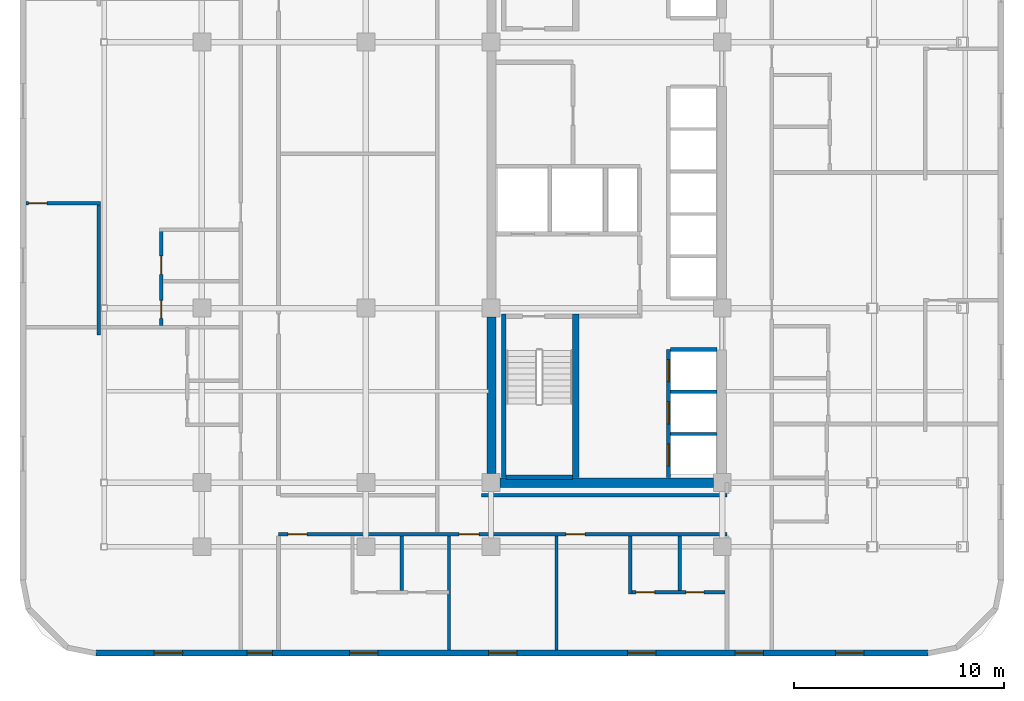
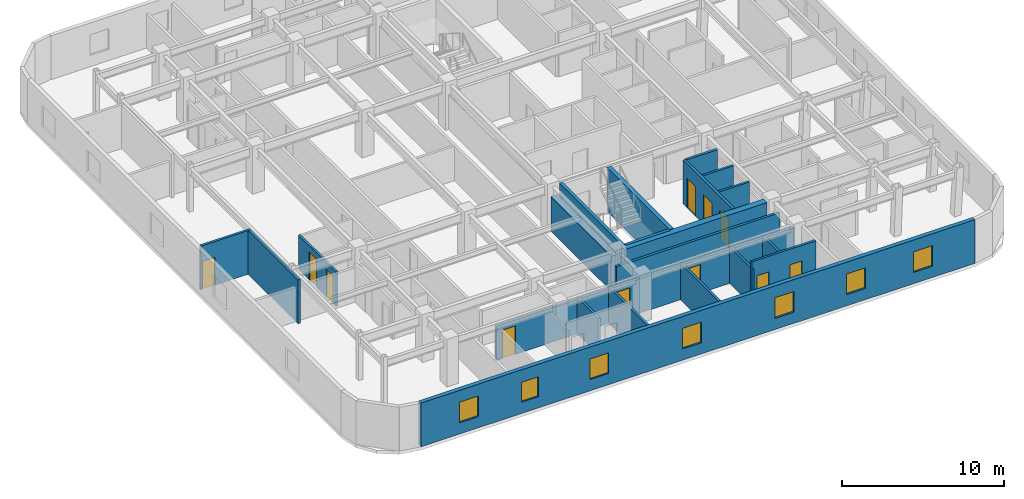
# One storey, part 6 of 11: 21 walls, 11 doors, 7 windows, 18 openings.
"""IFC4 building model written with IfcOpenShell, lengths in metres."""

from ifc_helpers import new_model, si_unit, direction, frame, frame_2d, origin, place, context, subcontext, project, spatial, rectangle, extrude, material, layer, layer_set, type_object, element, fill, save


model = new_model("IFC4")

# Units and contexts
model_context = context("Model", 3, precision=1e-05, world=origin(), true_north=direction((0.0, 1.0)))
body_context = subcontext(model_context, "Body", "Model", "MODEL_VIEW")
ifc_project = project(units=[si_unit("LENGTHUNIT", "METRE"), si_unit("AREAUNIT", "SQUARE_METRE"), si_unit("VOLUMEUNIT", "CUBIC_METRE"), si_unit("PLANEANGLEUNIT", "RADIAN"), si_unit("MASSUNIT", "GRAM", prefix="KILO")], contexts=[model_context])

# Site, building, storey
site_placement = place(None, origin())
site = spatial("IfcSite", under=ifc_project, at=site_placement, CompositionType="ELEMENT")
building_placement = place(site_placement, origin())
building = spatial("IfcBuilding", under=site, at=building_placement, Name="Ochreholt Gables", CompositionType="ELEMENT")
storey_placement = place(building_placement, frame((0.0, 0.0, 67.800048828125)))
storey = spatial("IfcBuildingStorey", under=building, at=storey_placement, Name="L17", CompositionType="ELEMENT", Elevation=67.800048828125)

# Walls
ifc_material_1 = material(Name="Concrete 60 MPa", Category="concrete")
ifc_layer_1 = layer(ifc_material_1, 0.449951171875, Name="Concrete 60 MPa")
ifc_layer_set_1 = layer_set([ifc_layer_1], Name="Concrete 60 MPa")
wall_type_1 = type_object("IfcWallType", Name="WALL-CSW-450", PredefinedType="SHEAR", material=ifc_layer_set_1)
wall_1_placement = place(storey_placement, frame((24.22509765625, 9.675048828125, 0.0), z_axis=(0.0, 0.0, 1.0), x_axis=(0.0, 1.0, 0.0)))
element("IfcWall", 1, at=wall_1_placement, inside=storey, type_object=wall_type_1, Name="L17 Core West Shear Wall WS", PredefinedType="SHEAR", context=body_context, shape_type="SweptSolid", body=[
    extrude(rectangle(XDim=7.449951171875, YDim=0.449951171875, at=frame_2d((3.72509765625, 0.0))), origin(), (0.0, 0.0, 1.0), 2.60693359375),
])
wall_2_placement = place(storey_placement, frame((24.625, 9.25, 0.0), z_axis=(0.0, 0.0, 1.0), x_axis=(1.0, 0.0, 0.0)))
element("IfcWall", 2, at=wall_2_placement, inside=storey, type_object=wall_type_1, Name="L17 Core South Shear Wall", PredefinedType="SHEAR", context=body_context, shape_type="SweptSolid", body=[
    extrude(rectangle(XDim=10.14990234375, YDim=0.449951171875, at=frame_2d((5.074951171875, 0.0))), origin(), (0.0, 0.0, 1.0), 3.300048828125),
])

# Wall, openings, windows
ifc_material_2 = material(Name="Precast concrete 40 MPa", Category="concrete")
ifc_layer_2 = layer(ifc_material_2, 0.2900390625, Name="Precast concrete 40 MPa")
ifc_layer_set_2 = layer_set([ifc_layer_2], Name="Precast concrete 40 MPa")
wall_type_2 = type_object("IfcWallType", Name="WALL-EXT-290", PredefinedType="SOLIDWALL", material=ifc_layer_set_2)
wall_3_placement = place(storey_placement, frame((5.419921875, 1.14501953125, 0.0), z_axis=(0.0, 0.0, 1.0), x_axis=(1.0, 0.0, 0.0)))
wall_3 = element("IfcWall", 3, at=wall_3_placement, inside=storey, type_object=wall_type_2, Name="L17 South Exterior Wall", PredefinedType="SOLIDWALL", context=body_context, shape_type="SweptSolid", body=[
    extrude(rectangle(XDim=39.56005859375, YDim=0.2900390625, at=frame_2d((19.780029296875, 0.0))), origin(), (0.0, 0.0, 1.0), 3.300048828125),
])
opening_1_placement = place(wall_3_placement, frame((2.764892578125, 0.0, 0.85009765625)))
opening_1 = element("IfcOpeningElement", 4, at=opening_1_placement, cuts=wall_3, Name="Opening WN-8", PredefinedType="OPENING", context=body_context, shape_type="SweptSolid", body=[
    extrude(rectangle(XDim=1.35009765625, YDim=1.550048828125, at=frame_2d((0.675048828125, 0.77490234375))), frame((0.0, 0.155029296875, 0.0), z_axis=(0.0, -1.0, 0.0), x_axis=(1.0, 0.0, 0.0)), (0.0, 0.0, 1.0), 0.31005859375),
])
opening_2_placement = place(wall_3_placement, frame((7.179931640625, 0.0, 0.85009765625)))
opening_2 = element("IfcOpeningElement", 5, at=opening_2_placement, cuts=wall_3, Name="Opening WN-3", PredefinedType="OPENING", context=body_context, shape_type="SweptSolid", body=[
    extrude(rectangle(XDim=1.199951171875, YDim=1.5, at=frame_2d((0.60009765625, 0.75))), frame((0.0, 0.155029296875, 0.0), z_axis=(0.0, -1.0, 0.0), x_axis=(1.0, 0.0, 0.0)), (0.0, 0.0, 1.0), 0.31005859375),
])
opening_3_placement = place(wall_3_placement, frame((12.055908203125, 0.0, 0.85009765625)))
opening_3 = element("IfcOpeningElement", 6, at=opening_3_placement, cuts=wall_3, Name="Opening WN-8", PredefinedType="OPENING", context=body_context, shape_type="SweptSolid", body=[
    extrude(rectangle(XDim=1.35009765625, YDim=1.550048828125, at=frame_2d((0.675048828125, 0.77490234375))), frame((0.0, 0.155029296875, 0.0), z_axis=(0.0, -1.0, 0.0), x_axis=(1.0, 0.0, 0.0)), (0.0, 0.0, 1.0), 0.31005859375),
])
opening_4_placement = place(wall_3_placement, frame((18.6650390625, 0.0, 0.85009765625)))
opening_4 = element("IfcOpeningElement", 7, at=opening_4_placement, cuts=wall_3, Name="Opening WN-8", PredefinedType="OPENING", context=body_context, shape_type="SweptSolid", body=[
    extrude(rectangle(XDim=1.35009765625, YDim=1.550048828125, at=frame_2d((0.675048828125, 0.77490234375))), frame((0.0, 0.155029296875, 0.0), z_axis=(0.0, -1.0, 0.0), x_axis=(1.0, 0.0, 0.0)), (0.0, 0.0, 1.0), 0.31005859375),
])
opening_5_placement = place(wall_3_placement, frame((25.274169921875, 0.0, 0.85009765625)))
opening_5 = element("IfcOpeningElement", 8, at=opening_5_placement, cuts=wall_3, Name="Opening WN-8", PredefinedType="OPENING", context=body_context, shape_type="SweptSolid", body=[
    extrude(rectangle(XDim=1.35009765625, YDim=1.550048828125, at=frame_2d((0.675048828125, 0.77490234375))), frame((0.0, 0.155029296875, 0.0), z_axis=(0.0, -1.0, 0.0), x_axis=(1.0, 0.0, 0.0)), (0.0, 0.0, 1.0), 0.31005859375),
])
opening_6_placement = place(wall_3_placement, frame((30.389892578125, 0.0, 0.85009765625)))
opening_6 = element("IfcOpeningElement", 9, at=opening_6_placement, cuts=wall_3, Name="Opening WN-8", PredefinedType="OPENING", context=body_context, shape_type="SweptSolid", body=[
    extrude(rectangle(XDim=1.35009765625, YDim=1.550048828125, at=frame_2d((0.675048828125, 0.77490234375))), frame((0.0, 0.155029296875, 0.0), z_axis=(0.0, -1.0, 0.0), x_axis=(1.0, 0.0, 0.0)), (0.0, 0.0, 1.0), 0.31005859375),
])
opening_7_placement = place(wall_3_placement, frame((35.169921875, 0.0, 0.85009765625)))
opening_7 = element("IfcOpeningElement", 10, at=opening_7_placement, cuts=wall_3, Name="Opening WN-8", PredefinedType="OPENING", context=body_context, shape_type="SweptSolid", body=[
    extrude(rectangle(XDim=1.35009765625, YDim=1.550048828125, at=frame_2d((0.675048828125, 0.77490234375))), frame((0.0, 0.155029296875, 0.0), z_axis=(0.0, -1.0, 0.0), x_axis=(1.0, 0.0, 0.0)), (0.0, 0.0, 1.0), 0.31005859375),
])
ifc_material_3 = material(Name="Triple-Glazed Thermally Broken Aluminium Window", Category="aluminium")
window_type_1 = type_object("IfcWindowType", Name="WIN-RES-1200", PartitioningType="SINGLE_PANEL", PredefinedType="WINDOW", material=ifc_material_3)
window_1_placement = place(opening_2_placement, origin())
window_1 = element("IfcWindow", 11, at=window_1_placement, inside=storey, type_object=window_type_1, Name="L17 Window W-EXT-S-L17-2", OverallHeight=1.5, OverallWidth=1.199951171875, PartitioningType="SINGLE_PANEL", PredefinedType="WINDOW", context=body_context, shape_type="SweptSolid", body=[
    extrude(rectangle(XDim=1.199951171875, YDim=1.5, at=frame_2d((0.60009765625, 0.75))), frame((0.0, 0.030029296875, 0.0), z_axis=(0.0, -1.0, 0.0), x_axis=(1.0, 0.0, 0.0)), (0.0, 0.0, 1.0), 0.06005859375),
])
fill(opening_2, window_1)
window_type_2 = type_object("IfcWindowType", Name="WIN-RES-1350", PartitioningType="SINGLE_PANEL", PredefinedType="WINDOW", material=ifc_material_3)
window_2_placement = place(opening_1_placement, origin())
window_2 = element("IfcWindow", 12, at=window_2_placement, inside=storey, type_object=window_type_2, Name="L17 Window W-EXT-S-L17-1", OverallHeight=1.550048828125, OverallWidth=1.35009765625, PartitioningType="SINGLE_PANEL", PredefinedType="WINDOW", context=body_context, shape_type="SweptSolid", body=[
    extrude(rectangle(XDim=1.35009765625, YDim=1.550048828125, at=frame_2d((0.675048828125, 0.77490234375))), frame((0.0, 0.030029296875, 0.0), z_axis=(0.0, -1.0, 0.0), x_axis=(1.0, 0.0, 0.0)), (0.0, 0.0, 1.0), 0.06005859375),
])
fill(opening_1, window_2)
window_3_placement = place(opening_3_placement, origin())
window_3 = element("IfcWindow", 13, at=window_3_placement, inside=storey, type_object=window_type_2, Name="L17 Window W-EXT-S-L17-3", OverallHeight=1.550048828125, OverallWidth=1.35009765625, PartitioningType="SINGLE_PANEL", PredefinedType="WINDOW", context=body_context, shape_type="SweptSolid", body=[
    extrude(rectangle(XDim=1.35009765625, YDim=1.550048828125, at=frame_2d((0.675048828125, 0.77490234375))), frame((0.0, 0.030029296875, 0.0), z_axis=(0.0, -1.0, 0.0), x_axis=(1.0, 0.0, 0.0)), (0.0, 0.0, 1.0), 0.06005859375),
])
fill(opening_3, window_3)
window_4_placement = place(opening_4_placement, origin())
window_4 = element("IfcWindow", 14, at=window_4_placement, inside=storey, type_object=window_type_2, Name="L17 Window W-EXT-S-L17-4", OverallHeight=1.550048828125, OverallWidth=1.35009765625, PartitioningType="SINGLE_PANEL", PredefinedType="WINDOW", context=body_context, shape_type="SweptSolid", body=[
    extrude(rectangle(XDim=1.35009765625, YDim=1.550048828125, at=frame_2d((0.675048828125, 0.77490234375))), frame((0.0, 0.030029296875, 0.0), z_axis=(0.0, -1.0, 0.0), x_axis=(1.0, 0.0, 0.0)), (0.0, 0.0, 1.0), 0.06005859375),
])
fill(opening_4, window_4)
window_5_placement = place(opening_5_placement, origin())
window_5 = element("IfcWindow", 15, at=window_5_placement, inside=storey, type_object=window_type_2, Name="L17 Window W-EXT-S-L17-5", OverallHeight=1.550048828125, OverallWidth=1.35009765625, PartitioningType="SINGLE_PANEL", PredefinedType="WINDOW", context=body_context, shape_type="SweptSolid", body=[
    extrude(rectangle(XDim=1.35009765625, YDim=1.550048828125, at=frame_2d((0.675048828125, 0.77490234375))), frame((0.0, 0.030029296875, 0.0), z_axis=(0.0, -1.0, 0.0), x_axis=(1.0, 0.0, 0.0)), (0.0, 0.0, 1.0), 0.06005859375),
])
fill(opening_5, window_5)
window_6_placement = place(opening_6_placement, origin())
window_6 = element("IfcWindow", 16, at=window_6_placement, inside=storey, type_object=window_type_2, Name="L17 Window W-EXT-S-L17-6", OverallHeight=1.550048828125, OverallWidth=1.35009765625, PartitioningType="SINGLE_PANEL", PredefinedType="WINDOW", context=body_context, shape_type="SweptSolid", body=[
    extrude(rectangle(XDim=1.35009765625, YDim=1.550048828125, at=frame_2d((0.675048828125, 0.77490234375))), frame((0.0, 0.030029296875, 0.0), z_axis=(0.0, -1.0, 0.0), x_axis=(1.0, 0.0, 0.0)), (0.0, 0.0, 1.0), 0.06005859375),
])
fill(opening_6, window_6)
window_7_placement = place(opening_7_placement, origin())
window_7 = element("IfcWindow", 17, at=window_7_placement, inside=storey, type_object=window_type_2, Name="L17 Window W-EXT-S-L17-7", OverallHeight=1.550048828125, OverallWidth=1.35009765625, PartitioningType="SINGLE_PANEL", PredefinedType="WINDOW", context=body_context, shape_type="SweptSolid", body=[
    extrude(rectangle(XDim=1.35009765625, YDim=1.550048828125, at=frame_2d((0.675048828125, 0.77490234375))), frame((0.0, 0.030029296875, 0.0), z_axis=(0.0, -1.0, 0.0), x_axis=(1.0, 0.0, 0.0)), (0.0, 0.0, 1.0), 0.06005859375),
])
fill(opening_7, window_7)

# Wall, openings, doors
ifc_material_4 = material(Name="Fire-Rated Gypsum Acoustic Partition", Category="gypsum")
ifc_layer_3 = layer(ifc_material_4, 0.179931640625, Name="Fire-Rated Gypsum Acoustic Partition")
ifc_layer_set_3 = layer_set([ifc_layer_3], Name="Fire-Rated Gypsum Acoustic Partition")
wall_type_3 = type_object("IfcWallType", Name="WALL-INT-CR180", PredefinedType="STANDARD", material=ifc_layer_set_3)
wall_4_placement = place(storey_placement, frame((14.10009765625, 6.800048828125, 0.0), z_axis=(0.0, 0.0, 1.0), x_axis=(1.0, 0.0, 0.0)))
wall_4 = element("IfcWall", 18, at=wall_4_placement, inside=storey, type_object=wall_type_3, Name="L17 Interior Wall WI-C1S-L17", PredefinedType="STANDARD", context=body_context, shape_type="SweptSolid", body=[
    extrude(rectangle(XDim=21.31982421875, YDim=0.179931640625, at=frame_2d((10.659912109375, 0.0))), origin(), (0.0, 0.0, 1.0), 2.5888671875),
])
opening_8_placement = place(wall_4_placement, frame((0.43994140625, 0.0, 0.0)))
opening_8 = element("IfcOpeningElement", 19, at=opening_8_placement, cuts=wall_4, Name="Opening D-UN1", PredefinedType="OPENING", context=body_context, shape_type="SweptSolid", body=[
    extrude(rectangle(XDim=0.919921875, YDim=2.14990234375, at=frame_2d((0.4599609375, 1.074951171875))), frame((0.0, 0.099853515625, 0.0), z_axis=(0.0, -1.0, 0.0), x_axis=(1.0, 0.0, 0.0)), (0.0, 0.0, 1.0), 0.199951171875),
])
opening_9_placement = place(wall_4_placement, frame((8.58154296875, 0.0, 0.0)))
opening_9 = element("IfcOpeningElement", 20, at=opening_9_placement, cuts=wall_4, Name="Opening D-GN1", PredefinedType="OPENING", context=body_context, shape_type="SweptSolid", body=[
    extrude(rectangle(XDim=0.949951171875, YDim=2.14990234375, at=frame_2d((0.47509765625, 1.074951171875))), frame((0.0, 0.099853515625, 0.0), z_axis=(0.0, -1.0, 0.0), x_axis=(1.0, 0.0, 0.0)), (0.0, 0.0, 1.0), 0.199951171875),
])
opening_10_placement = place(wall_4_placement, frame((13.658447265625, 0.0, 0.0)))
opening_10 = element("IfcOpeningElement", 21, at=opening_10_placement, cuts=wall_4, Name="Opening D-UN1", PredefinedType="OPENING", context=body_context, shape_type="SweptSolid", body=[
    extrude(rectangle(XDim=0.919921875, YDim=2.14990234375, at=frame_2d((0.4599609375, 1.074951171875))), frame((0.0, 0.099853515625, 0.0), z_axis=(0.0, -1.0, 0.0), x_axis=(1.0, 0.0, 0.0)), (0.0, 0.0, 1.0), 0.199951171875),
])
ifc_material_5 = material(Name="Engineered Oak Timber", Category="wood")
door_type_1 = type_object("IfcDoorType", Name="DR-INT-GEN950", OperationType="NOTDEFINED", PredefinedType="DOOR", material=ifc_material_5)
door_1_placement = place(opening_9_placement, origin())
door_1 = element("IfcDoor", 22, at=door_1_placement, inside=storey, type_object=door_type_1, Name="L17 Door D-C1S3-L17", OperationType="SINGLE_SWING_LEFT", OverallHeight=2.14990234375, OverallWidth=0.949951171875, PredefinedType="DOOR", context=body_context, shape_type="SweptSolid", body=[
    extrude(rectangle(XDim=0.949951171875, YDim=2.14990234375, at=frame_2d((0.47509765625, 1.074951171875))), frame((0.0, 0.02490234375, 0.0), z_axis=(0.0, -1.0, 0.0), x_axis=(1.0, 0.0, 0.0)), (0.0, 0.0, 1.0), 0.050048828125),
])
fill(opening_9, door_1)
door_type_2 = type_object("IfcDoorType", Name="DR-INT-UNT920", OperationType="NOTDEFINED", PredefinedType="DOOR", material=ifc_material_5)
door_2_placement = place(opening_8_placement, origin())
door_2 = element("IfcDoor", 23, at=door_2_placement, inside=storey, type_object=door_type_2, Name="L17 Door D-U-L17S1-ENT", OperationType="SINGLE_SWING_RIGHT", OverallHeight=2.14990234375, OverallWidth=0.919921875, PredefinedType="DOOR", context=body_context, shape_type="SweptSolid", body=[
    extrude(rectangle(XDim=0.919921875, YDim=2.14990234375, at=frame_2d((0.4599609375, 1.074951171875))), frame((0.0, 0.02490234375, 0.0), z_axis=(0.0, -1.0, 0.0), x_axis=(1.0, 0.0, 0.0)), (0.0, 0.0, 1.0), 0.050048828125),
])
fill(opening_8, door_2)
door_3_placement = place(opening_10_placement, origin())
door_3 = element("IfcDoor", 24, at=door_3_placement, inside=storey, type_object=door_type_2, Name="L17 Door D-U-L17S3-ENT", OperationType="SINGLE_SWING_RIGHT", OverallHeight=2.14990234375, OverallWidth=0.919921875, PredefinedType="DOOR", context=body_context, shape_type="SweptSolid", body=[
    extrude(rectangle(XDim=0.919921875, YDim=2.14990234375, at=frame_2d((0.4599609375, 1.074951171875))), frame((0.0, 0.02490234375, 0.0), z_axis=(0.0, -1.0, 0.0), x_axis=(1.0, 0.0, 0.0)), (0.0, 0.0, 1.0), 0.050048828125),
])
fill(opening_10, door_3)

# Wall
wall_5_placement = place(storey_placement, frame((23.75, 8.64990234375, 0.0), z_axis=(0.0, 0.0, 1.0), x_axis=(1.0, 0.0, 0.0)))
element("IfcWall", 25, at=wall_5_placement, inside=storey, type_object=wall_type_3, Name="L17 Interior Wall WI-C1S2-L17", PredefinedType="STANDARD", context=body_context, shape_type="SweptSolid", body=[
    extrude(rectangle(XDim=11.669921875, YDim=0.179931640625, at=frame_2d((5.8349609375, 0.0))), origin(), (0.0, 0.0, 1.0), 2.5888671875),
])

# Wall, openings, doors
ifc_material_6 = material(Name="Moisture-Resistant Plumbing Chase Wall", Category="gypsum")
ifc_layer_4 = layer(ifc_material_6, 0.159912109375, Name="Moisture-Resistant Plumbing Chase Wall")
ifc_layer_set_4 = layer_set([ifc_layer_4], Name="Moisture-Resistant Plumbing Chase Wall")
wall_type_4 = type_object("IfcWallType", Name="WALL-INT-PL160", PredefinedType="PLUMBINGWALL", material=ifc_layer_set_4)
wall_6_placement = place(storey_placement, frame((8.510009765625, 16.72998046875, 0.0), z_axis=(0.0, 0.0, 1.0), x_axis=(0.0, 1.0, 0.0)))
wall_6 = element("IfcWall", 26, at=wall_6_placement, inside=storey, type_object=wall_type_4, Name="L17 Interior Wall WU-L17W2-WX", PredefinedType="PLUMBINGWALL", context=body_context, shape_type="SweptSolid", body=[
    extrude(rectangle(XDim=4.64013671875, YDim=0.159912109375, at=frame_2d((2.320068359375, 0.0))), origin(), (0.0, 0.0, 1.0), 2.5888671875),
])
opening_11_placement = place(wall_6_placement, frame((0.330078125, 0.0, 0.0)))
opening_11 = element("IfcOpeningElement", 27, at=opening_11_placement, cuts=wall_6, Name="Opening D-BT1", PredefinedType="OPENING", context=body_context, shape_type="SweptSolid", body=[
    extrude(rectangle(XDim=0.860107421875, YDim=2.1201171875, at=frame_2d((0.43017578125, 1.06005859375))), frame((0.0, 0.08984375, 0.0), z_axis=(0.0, -1.0, 0.0), x_axis=(1.0, 0.0, 0.0)), (0.0, 0.0, 1.0), 0.179931640625),
])
opening_12_placement = place(wall_6_placement, frame((2.423095703125, 0.0, 0.0)))
opening_12 = element("IfcOpeningElement", 28, at=opening_12_placement, cuts=wall_6, Name="Opening D-GN2", PredefinedType="OPENING", context=body_context, shape_type="SweptSolid", body=[
    extrude(rectangle(XDim=0.8798828125, YDim=2.1201171875, at=frame_2d((0.43994140625, 1.06005859375))), frame((0.0, 0.08984375, 0.0), z_axis=(0.0, -1.0, 0.0), x_axis=(1.0, 0.0, 0.0)), (0.0, 0.0, 1.0), 0.179931640625),
])
door_type_3 = type_object("IfcDoorType", Name="DR-INT-BTH860", OperationType="NOTDEFINED", PredefinedType="DOOR", material=ifc_material_5)
door_4_placement = place(opening_11_placement, origin())
door_4 = element("IfcDoor", 29, at=door_4_placement, inside=storey, type_object=door_type_3, Name="L17 Door D-U-L17W2-BTH", OperationType="SINGLE_SWING_RIGHT", OverallHeight=2.1201171875, OverallWidth=0.860107421875, PredefinedType="DOOR", context=body_context, shape_type="SweptSolid", body=[
    extrude(rectangle(XDim=0.860107421875, YDim=2.1201171875, at=frame_2d((0.43017578125, 1.06005859375))), frame((0.0, 0.02490234375, 0.0), z_axis=(0.0, -1.0, 0.0), x_axis=(1.0, 0.0, 0.0)), (0.0, 0.0, 1.0), 0.050048828125),
])
fill(opening_11, door_4)
door_type_4 = type_object("IfcDoorType", Name="DR-INT-GEN880", OperationType="NOTDEFINED", PredefinedType="DOOR", material=ifc_material_5)
door_5_placement = place(opening_12_placement, origin())
door_5 = element("IfcDoor", 30, at=door_5_placement, inside=storey, type_object=door_type_4, Name="L17 Door D-U-L17W2-KIT", OperationType="SINGLE_SWING_LEFT", OverallHeight=2.1201171875, OverallWidth=0.8798828125, PredefinedType="DOOR", context=body_context, shape_type="SweptSolid", body=[
    extrude(rectangle(XDim=0.8798828125, YDim=2.1201171875, at=frame_2d((0.43994140625, 1.06005859375))), frame((0.0, 0.02490234375, 0.0), z_axis=(0.0, -1.0, 0.0), x_axis=(1.0, 0.0, 0.0)), (0.0, 0.0, 1.0), 0.050048828125),
])
fill(opening_12, door_5)

# Wall
wall_7_placement = place(storey_placement, frame((19.95166015625, 4.110107421875, 0.0), z_axis=(0.0, 0.0, 1.0), x_axis=(0.0, 1.0, 0.0)))
element("IfcWall", 31, at=wall_7_placement, inside=storey, type_object=wall_type_4, Name="L17 Interior Wall WU-L17S1-WK", PredefinedType="PLUMBINGWALL", context=body_context, shape_type="SweptSolid", body=[
    extrude(rectangle(XDim=2.599853515625, YDim=0.159912109375, at=frame_2d((1.2998046875, 0.0))), origin(), (0.0, 0.0, 1.0), 2.7490234375),
])

# Wall, openings, doors
wall_8_placement = place(storey_placement, frame((30.75, 4.030029296875, 0.0), z_axis=(0.0, 0.0, 1.0), x_axis=(1.0, 0.0, 0.0)))
wall_8 = element("IfcWall", 32, at=wall_8_placement, inside=storey, type_object=wall_type_4, Name="L17 Interior Wall WU-L17S3-WY", PredefinedType="PLUMBINGWALL", context=body_context, shape_type="SweptSolid", body=[
    extrude(rectangle(XDim=4.580078125, YDim=0.159912109375, at=frame_2d((2.2900390625, 0.0))), origin(), (0.0, 0.0, 1.0), 3.300048828125),
])
opening_13_placement = place(wall_8_placement, frame((0.35009765625, 0.0, 0.0)))
opening_13 = element("IfcOpeningElement", 33, at=opening_13_placement, cuts=wall_8, Name="Opening D-GN2", PredefinedType="OPENING", context=body_context, shape_type="SweptSolid", body=[
    extrude(rectangle(XDim=0.8798828125, YDim=2.1201171875, at=frame_2d((0.43994140625, 1.06005859375))), frame((0.0, 0.08984375, 0.0), z_axis=(0.0, -1.0, 0.0), x_axis=(1.0, 0.0, 0.0)), (0.0, 0.0, 1.0), 0.179931640625),
])
opening_14_placement = place(wall_8_placement, frame((2.719970703125, 0.0, 0.0)))
opening_14 = element("IfcOpeningElement", 34, at=opening_14_placement, cuts=wall_8, Name="Opening D-BT1", PredefinedType="OPENING", context=body_context, shape_type="SweptSolid", body=[
    extrude(rectangle(XDim=0.860107421875, YDim=2.1201171875, at=frame_2d((0.43017578125, 1.06005859375))), frame((0.0, 0.08984375, 0.0), z_axis=(0.0, -1.0, 0.0), x_axis=(1.0, 0.0, 0.0)), (0.0, 0.0, 1.0), 0.179931640625),
])
door_6_placement = place(opening_14_placement, origin())
door_6 = element("IfcDoor", 35, at=door_6_placement, inside=storey, type_object=door_type_3, Name="L17 Door D-U-L17S3-BTH", OperationType="SINGLE_SWING_RIGHT", OverallHeight=2.1201171875, OverallWidth=0.860107421875, PredefinedType="DOOR", context=body_context, shape_type="SweptSolid", body=[
    extrude(rectangle(XDim=0.860107421875, YDim=2.1201171875, at=frame_2d((0.43017578125, 1.06005859375))), frame((0.0, 0.02490234375, 0.0), z_axis=(0.0, -1.0, 0.0), x_axis=(1.0, 0.0, 0.0)), (0.0, 0.0, 1.0), 0.050048828125),
])
fill(opening_14, door_6)
door_7_placement = place(opening_13_placement, origin())
door_7 = element("IfcDoor", 36, at=door_7_placement, inside=storey, type_object=door_type_4, Name="L17 Door D-U-L17S3-KIT", OperationType="SINGLE_SWING_LEFT", OverallHeight=2.1201171875, OverallWidth=0.8798828125, PredefinedType="DOOR", context=body_context, shape_type="SweptSolid", body=[
    extrude(rectangle(XDim=0.8798828125, YDim=2.1201171875, at=frame_2d((0.43994140625, 1.06005859375))), frame((0.0, 0.02490234375, 0.0), z_axis=(0.0, -1.0, 0.0), x_axis=(1.0, 0.0, 0.0)), (0.0, 0.0, 1.0), 0.050048828125),
])
fill(opening_13, door_7)

# Walls
wall_9_placement = place(storey_placement, frame((30.830078125, 3.949951171875, 0.0), z_axis=(0.0, 0.0, 1.0), x_axis=(0.0, 1.0, 0.0)))
element("IfcWall", 37, at=wall_9_placement, inside=storey, type_object=wall_type_4, Name="L17 Interior Wall WU-L17S3-FY", PredefinedType="PLUMBINGWALL", context=body_context, shape_type="SweptSolid", body=[
    extrude(rectangle(XDim=2.760009765625, YDim=0.159912109375, at=frame_2d((1.3798828125, 0.0))), origin(), (0.0, 0.0, 1.0), 2.7490234375),
])
wall_10_placement = place(storey_placement, frame((33.169921875, 4.110107421875, 0.0), z_axis=(0.0, 0.0, 1.0), x_axis=(0.0, 1.0, 0.0)))
element("IfcWall", 38, at=wall_10_placement, inside=storey, type_object=wall_type_4, Name="L17 Interior Wall WU-L17S3-WK", PredefinedType="PLUMBINGWALL", context=body_context, shape_type="SweptSolid", body=[
    extrude(rectangle(XDim=2.599853515625, YDim=0.159912109375, at=frame_2d((1.2998046875, 0.0))), origin(), (0.0, 0.0, 1.0), 2.7490234375),
])
ifc_material_7 = material(Name="Gypsum Acoustic Stud Partition", Category="gypsum")
ifc_layer_5 = layer(ifc_material_7, 0.159912109375, Name="Gypsum Acoustic Stud Partition")
ifc_layer_set_5 = layer_set([ifc_layer_5], Name="Gypsum Acoustic Stud Partition")
wall_type_5 = type_object("IfcWallType", Name="WALL-INT-PT160", PredefinedType="PARTITIONING", material=ifc_layer_set_5)
wall_11_placement = place(storey_placement, frame((5.550048828125, 16.280029296875, 0.0), z_axis=(0.0, 0.0, 1.0), x_axis=(0.0, 1.0, 0.0)))
element("IfcWall", 39, at=wall_11_placement, inside=storey, type_object=wall_type_5, Name="L17 Interior Wall WU-L17W2-STW", PredefinedType="PARTITIONING", context=body_context, shape_type="SweptSolid", body=[
    extrude(rectangle(XDim=6.25, YDim=0.159912109375, at=frame_2d((3.125, 0.0))), origin(), (0.0, 0.0, 1.0), 3.300048828125),
])

# Wall, opening, door
wall_12_placement = place(storey_placement, frame((2.090087890625, 22.530029296875, 0.0), z_axis=(0.0, 0.0, 1.0), x_axis=(1.0, 0.0, 0.0)))
wall_12 = element("IfcWall", 40, at=wall_12_placement, inside=storey, type_object=wall_type_5, Name="L17 Interior Wall WU-L17W2-STN", PredefinedType="PARTITIONING", context=body_context, shape_type="SweptSolid", body=[
    extrude(rectangle(XDim=3.539794921875, YDim=0.159912109375, at=frame_2d((1.77001953125, 0.0))), origin(), (0.0, 0.0, 1.0), 3.300048828125),
])
opening_15_placement = place(wall_12_placement, frame((0.1201171875, 0.0, 0.0)))
opening_15 = element("IfcOpeningElement", 41, at=opening_15_placement, cuts=wall_12, Name="Opening D-GN2", PredefinedType="OPENING", context=body_context, shape_type="SweptSolid", body=[
    extrude(rectangle(XDim=0.8798828125, YDim=2.1201171875, at=frame_2d((0.43994140625, 1.06005859375))), frame((0.0, 0.08984375, 0.0), z_axis=(0.0, -1.0, 0.0), x_axis=(1.0, 0.0, 0.0)), (0.0, 0.0, 1.0), 0.179931640625),
])
door_8_placement = place(opening_15_placement, origin())
door_8 = element("IfcDoor", 42, at=door_8_placement, inside=storey, type_object=door_type_4, Name="L17 Door D-U-L17W2-STD", OperationType="SINGLE_SWING_RIGHT", OverallHeight=2.1201171875, OverallWidth=0.8798828125, PredefinedType="DOOR", context=body_context, shape_type="SweptSolid", body=[
    extrude(rectangle(XDim=0.8798828125, YDim=2.1201171875, at=frame_2d((0.43994140625, 1.06005859375))), frame((0.0, 0.02490234375, 0.0), z_axis=(0.0, -1.0, 0.0), x_axis=(1.0, 0.0, 0.0)), (0.0, 0.0, 1.0), 0.050048828125),
])
fill(opening_15, door_8)

# Walls
for number, where, z_axis, x_axis, name in (
    (43, (22.20166015625, 1.2900390625, 0.0), (0.0, 0.0, 1.0), (0.0, 1.0, 0.0), "L17 Interior Wall WI-UDS2-L17"),
    (44, (27.318359375, 1.2900390625, 0.0), (0.0, 0.0, 1.0), (0.0, 1.0, 0.0), "L17 Interior Wall WI-UDS3-L17"),
):
    element("IfcWall", number, at=place(storey_placement, frame(where, z_axis=z_axis, x_axis=x_axis)), inside=storey, type_object=wall_type_5, Name=name, PredefinedType="PARTITIONING", context=body_context, shape_type="SweptSolid", body=[
        extrude(rectangle(XDim=5.419921875, YDim=0.159912109375, at=frame_2d((2.7099609375, 0.0))), origin(), (0.0, 0.0, 1.0), 2.7490234375),
    ])
ifc_material_8 = material(Name="Gypsum Shaftliner and Steel Stud", Category="steel")
ifc_layer_6 = layer(ifc_material_8, 0.14990234375, Name="Gypsum Shaftliner and Steel Stud")
ifc_layer_set_6 = layer_set([ifc_layer_6], Name="Gypsum Shaftliner and Steel Stud")
wall_type_6 = type_object("IfcWallType", Name="WALL-INT-SH150", PredefinedType="STANDARD", material=ifc_layer_set_6)
for number, where, z_axis, x_axis, name in (
    (45, (32.739990234375, 11.570068359375, 0.0), (0.0, 0.0, 1.0), (1.0, 0.0, 0.0), "L17 Interior Wall WI-LFL-D1-L17"),
    (46, (32.739990234375, 13.570068359375, 0.0), (0.0, 0.0, 1.0), (1.0, 0.0, 0.0), "L17 Interior Wall WI-LFL-D2-L17"),
):
    element("IfcWall", number, at=place(storey_placement, frame(where, z_axis=z_axis, x_axis=x_axis)), inside=storey, type_object=wall_type_6, Name=name, PredefinedType="STANDARD", context=body_context, shape_type="SweptSolid", body=[
        extrude(rectangle(XDim=2.2099609375, YDim=0.14990234375, at=frame_2d((1.10498046875, 0.0))), origin(), (0.0, 0.0, 1.0), 3.300048828125),
    ])

# Wall, openings, doors
ifc_layer_7 = layer(ifc_material_8, 0.179931640625, Name="Gypsum Shaftliner and Steel Stud")
ifc_layer_set_7 = layer_set([ifc_layer_7], Name="Gypsum Shaftliner and Steel Stud")
wall_type_7 = type_object("IfcWallType", Name="WALL-INT-SH180", PredefinedType="STANDARD", material=ifc_layer_set_7)
wall_13_placement = place(storey_placement, frame((32.64990234375, 9.5, 0.0), z_axis=(0.0, 0.0, 1.0), x_axis=(0.0, 1.0, 0.0)))
wall_13 = element("IfcWall", 47, at=wall_13_placement, inside=storey, type_object=wall_type_7, Name="L17 Interior Wall WI-LFL-FR-L17", PredefinedType="STANDARD", context=body_context, shape_type="SweptSolid", body=[
    extrude(rectangle(XDim=6.080078125, YDim=0.179931640625, at=frame_2d((3.0400390625, 0.0))), origin(), (0.0, 0.0, 1.0), 3.300048828125),
])
opening_16_placement = place(wall_13_placement, frame((0.550048828125, 0.0, 0.0)))
opening_16 = element("IfcOpeningElement", 48, at=opening_16_placement, cuts=wall_13, Name="Opening LD-PX", PredefinedType="OPENING", context=body_context, shape_type="SweptSolid", body=[
    extrude(rectangle(XDim=1.050048828125, YDim=2.199951171875, at=frame_2d((0.52490234375, 1.10009765625))), frame((0.0, 0.099853515625, 0.0), z_axis=(0.0, -1.0, 0.0), x_axis=(1.0, 0.0, 0.0)), (0.0, 0.0, 1.0), 0.199951171875),
])
opening_17_placement = place(wall_13_placement, frame((2.550048828125, 0.0, 0.0)))
opening_17 = element("IfcOpeningElement", 49, at=opening_17_placement, cuts=wall_13, Name="Opening LD-PX", PredefinedType="OPENING", context=body_context, shape_type="SweptSolid", body=[
    extrude(rectangle(XDim=1.050048828125, YDim=2.199951171875, at=frame_2d((0.52490234375, 1.10009765625))), frame((0.0, 0.099853515625, 0.0), z_axis=(0.0, -1.0, 0.0), x_axis=(1.0, 0.0, 0.0)), (0.0, 0.0, 1.0), 0.199951171875),
])
opening_18_placement = place(wall_13_placement, frame((4.550048828125, 0.0, 0.0)))
opening_18 = element("IfcOpeningElement", 50, at=opening_18_placement, cuts=wall_13, Name="Opening LD-PX", PredefinedType="OPENING", context=body_context, shape_type="SweptSolid", body=[
    extrude(rectangle(XDim=1.050048828125, YDim=2.199951171875, at=frame_2d((0.52490234375, 1.10009765625))), frame((0.0, 0.099853515625, 0.0), z_axis=(0.0, -1.0, 0.0), x_axis=(1.0, 0.0, 0.0)), (0.0, 0.0, 1.0), 0.199951171875),
])
ifc_material_9 = material(Name="Stainless Steel", Category="steel")
door_type_5 = type_object("IfcDoorType", Name="DR-LFT-PX1050", OperationType="NOTDEFINED", PredefinedType="DOOR", material=ifc_material_9)
door_9_placement = place(opening_16_placement, origin())
door_9 = element("IfcDoor", 51, at=door_9_placement, inside=storey, type_object=door_type_5, Name="L17 Door LD-L1-L17", OperationType="SLIDING_TO_LEFT", OverallHeight=2.199951171875, OverallWidth=1.050048828125, PredefinedType="DOOR", context=body_context, shape_type="SweptSolid", body=[
    extrude(rectangle(XDim=1.050048828125, YDim=2.199951171875, at=frame_2d((0.52490234375, 1.10009765625))), frame((0.0, 0.02490234375, 0.0), z_axis=(0.0, -1.0, 0.0), x_axis=(1.0, 0.0, 0.0)), (0.0, 0.0, 1.0), 0.050048828125),
])
fill(opening_16, door_9)
door_10_placement = place(opening_17_placement, origin())
door_10 = element("IfcDoor", 52, at=door_10_placement, inside=storey, type_object=door_type_5, Name="L17 Door LD-L2-L17", OperationType="SLIDING_TO_LEFT", OverallHeight=2.199951171875, OverallWidth=1.050048828125, PredefinedType="DOOR", context=body_context, shape_type="SweptSolid", body=[
    extrude(rectangle(XDim=1.050048828125, YDim=2.199951171875, at=frame_2d((0.52490234375, 1.10009765625))), frame((0.0, 0.02490234375, 0.0), z_axis=(0.0, -1.0, 0.0), x_axis=(1.0, 0.0, 0.0)), (0.0, 0.0, 1.0), 0.050048828125),
])
fill(opening_17, door_10)
door_11_placement = place(opening_18_placement, origin())
door_11 = element("IfcDoor", 53, at=door_11_placement, inside=storey, type_object=door_type_5, Name="L17 Door LD-L3-L17", OperationType="SLIDING_TO_LEFT", OverallHeight=2.199951171875, OverallWidth=1.050048828125, PredefinedType="DOOR", context=body_context, shape_type="SweptSolid", body=[
    extrude(rectangle(XDim=1.050048828125, YDim=2.199951171875, at=frame_2d((0.52490234375, 1.10009765625))), frame((0.0, 0.02490234375, 0.0), z_axis=(0.0, -1.0, 0.0), x_axis=(1.0, 0.0, 0.0)), (0.0, 0.0, 1.0), 0.050048828125),
])
fill(opening_18, door_11)

# Walls
wall_14_placement = place(storey_placement, frame((32.739990234375, 15.580078125, 0.0), z_axis=(0.0, 0.0, 1.0), x_axis=(1.0, 0.0, 0.0)))
element("IfcWall", 54, at=wall_14_placement, inside=storey, type_object=wall_type_7, Name="L17 Interior Wall WI-LFL-N-L17", PredefinedType="STANDARD", context=body_context, shape_type="SweptSolid", body=[
    extrude(rectangle(XDim=2.2099609375, YDim=0.179931640625, at=frame_2d((1.10498046875, 0.0))), origin(), (0.0, 0.0, 1.0), 3.300048828125),
])
ifc_layer_8 = layer(ifc_material_1, 0.300048828125, Name="Concrete 60 MPa")
ifc_layer_set_8 = layer_set([ifc_layer_8], Name="Concrete 60 MPa")
wall_type_8 = type_object("IfcWallType", Name="WALL-SPN-300", PredefinedType="SHEAR", material=ifc_layer_set_8)
wall_15_placement = place(storey_placement, frame((28.22998046875, 9.5, 0.0), z_axis=(0.0, 0.0, 1.0), x_axis=(0.0, 1.0, 0.0)))
element("IfcWall", 55, at=wall_15_placement, inside=storey, type_object=wall_type_8, Name="L17 Core South Spine Shear Wall", PredefinedType="SHEAR", context=body_context, shape_type="SweptSolid", body=[
    extrude(rectangle(XDim=7.760009765625, YDim=0.300048828125, at=frame_2d((3.8798828125, 0.0))), origin(), (0.0, 0.0, 1.0), 3.300048828125),
])
ifc_material_10 = material(Name="Concrete 50 MPa", Category="concrete")
ifc_layer_9 = layer(ifc_material_10, 0.219970703125, Name="Concrete 50 MPa")
ifc_layer_set_9 = layer_set([ifc_layer_9], Name="Concrete 50 MPa")
wall_type_9 = type_object("IfcWallType", Name="WALL-STW-220", PredefinedType="SHEAR", material=ifc_layer_set_9)
wall_16_placement = place(storey_placement, frame((24.81005859375, 9.5, 0.0), z_axis=(0.0, 0.0, 1.0), x_axis=(0.0, 1.0, 0.0)))
element("IfcWall", 56, at=wall_16_placement, inside=storey, type_object=wall_type_9, Name="L17 Exit Stair 1 West Wall", PredefinedType="SHEAR", context=body_context, shape_type="SweptSolid", body=[
    extrude(rectangle(XDim=7.760009765625, YDim=0.219970703125, at=frame_2d((3.8798828125, 0.0))), origin(), (0.0, 0.0, 1.0), 3.300048828125),
])
wall_17_placement = place(storey_placement, frame((24.919921875, 9.510009765625, 0.0), z_axis=(0.0, 0.0, 1.0), x_axis=(1.0, 0.0, 0.0)))
element("IfcWall", 57, at=wall_17_placement, inside=storey, type_object=wall_type_9, Name="L17 Exit Stair 1 South Wall", PredefinedType="SHEAR", context=body_context, shape_type="SweptSolid", body=[
    extrude(rectangle(XDim=3.16015625, YDim=0.219970703125, at=frame_2d((1.580078125, 0.0))), origin(), (0.0, 0.0, 1.0), 3.300048828125),
])

save(model, "model.ifc")
